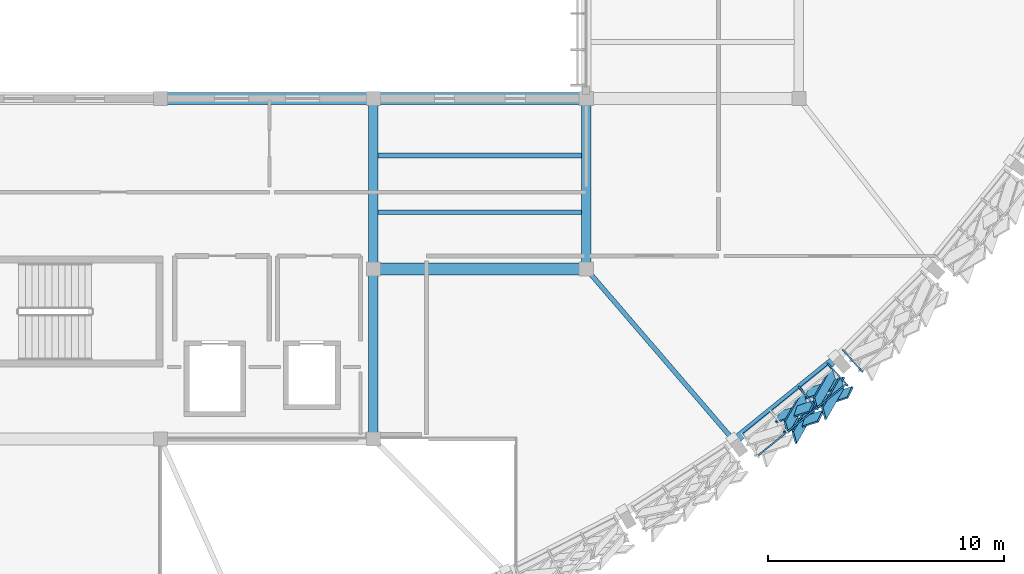
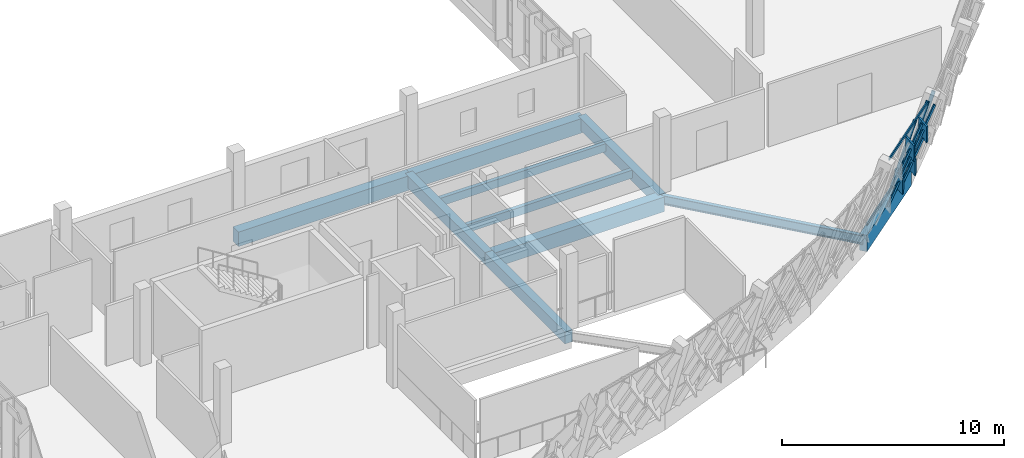
# One storey, part 49 of 107: 13 members, 10 beams, 2 elements without a shape of their own.
"""IFC4 building model written with IfcOpenShell, lengths in metres."""

import ifcopenshell
import ifcopenshell.guid

model = None  # the IFC model being written
_history = None  # IfcOwnerHistory: only IFC2X3 demands one
_inside = {}  # id of a spatial element -> (the spatial element, [elements in it])
_under = {}  # id of a project, library or spatial element -> (it, [spatial elements below it])
_declared = {}  # id of a project -> (the project, [libraries it declares])
_typed = {}  # id of a type object -> (the type object, [elements of that type])
_made_of = {}  # id of a material, layer set ... -> (it, [elements and type objects made of it])


def new_model(schema):
    """Start an empty IFC model of exactly this schema.

    Asked for "IFC4X3", IfcOpenShell would pick the latest addendum, in which some entities
    have other attributes; the version numbers below select the first issue.
    IFC2X3 requires an IfcOwnerHistory on every rooted entity: one is made here for all.
    """
    global model, _history
    if schema == "IFC4X3":
        model = ifcopenshell.file(schema_version=(4, 3, 0, 0))
    else:
        model = ifcopenshell.file(schema=schema)
    _inside.clear()
    _under.clear()
    _declared.clear()
    _typed.clear()
    _made_of.clear()
    _history = None
    if model.schema == "IFC2X3":
        org = make("IfcOrganization", Name="unknown")
        user = make(
            "IfcPersonAndOrganization",
            ThePerson=make("IfcPerson", FamilyName="unknown"),
            TheOrganization=org,
        )
        app = make(
            "IfcApplication",
            ApplicationDeveloper=org,
            Version="unknown",
            ApplicationFullName="unknown",
            ApplicationIdentifier="unknown",
        )
        _history = make(
            "IfcOwnerHistory",
            OwningUser=user,
            OwningApplication=app,
            ChangeAction="ADDED",
            CreationDate=0,
        )
    return model


def make(cls, **values):
    """One entity of the class cls with the attributes given. An attribute that is None is left unset."""
    return model.create_entity(
        cls, **{name: value for name, value in values.items() if value is not None}
    )


def rooted(cls, **values):
    """An entity with a GlobalId (a new one), such as an element, a storey or a relation."""
    return make(cls, GlobalId=ifcopenshell.guid.new(), OwnerHistory=_history, **values)


def si_unit(unit_type, name, prefix=None):
    """IfcSIUnit, for example si_unit("LENGTHUNIT", "METRE", prefix="MILLI")."""
    return make("IfcSIUnit", UnitType=unit_type, Prefix=prefix, Name=name)


def assignment(units):
    """IfcUnitAssignment: the units of a project."""
    return None if units is None else make("IfcUnitAssignment", Units=units)


def point(xyz):
    """IfcCartesianPoint."""
    return None if xyz is None else make("IfcCartesianPoint", Coordinates=xyz)


def direction(xyz):
    """IfcDirection."""
    return None if xyz is None else make("IfcDirection", DirectionRatios=xyz)


def frame(location, z_axis=None, x_axis=None):
    """IfcAxis2Placement3D, a coordinate frame: its origin and axes. An axis left out is left unset."""
    return make(
        "IfcAxis2Placement3D",
        Location=point(location),
        Axis=direction(z_axis),
        RefDirection=direction(x_axis),
    )


def frame_2d(location, x_axis=None):
    """IfcAxis2Placement2D, a coordinate frame in the plane: its origin and x axis."""
    return make(
        "IfcAxis2Placement2D", Location=point(location), RefDirection=direction(x_axis)
    )


def origin():
    """The frame at (0, 0, 0) with its axes left unset."""
    return frame((0.0, 0.0, 0.0))


def origin_2d():
    """The frame at (0, 0) in the plane with its x axis left unset."""
    return frame_2d((0.0, 0.0))


def place(relative_to, where):
    """IfcLocalPlacement: puts the frame where relative to a parent placement (None: the world)."""
    return make(
        "IfcLocalPlacement", PlacementRelTo=relative_to, RelativePlacement=where
    )


def context(
    kind, dimensions, precision=None, world=None, true_north=None, identifier=None
):
    """IfcGeometricRepresentationContext, for example the 3D "Model" context."""
    return make(
        "IfcGeometricRepresentationContext",
        ContextIdentifier=identifier,
        ContextType=kind,
        CoordinateSpaceDimension=dimensions,
        Precision=precision,
        WorldCoordinateSystem=world,
        TrueNorth=true_north,
    )


def subcontext(parent, identifier, kind, view, scale=None):
    """IfcGeometricRepresentationSubContext, for example "Body" below "Model"."""
    return make(
        "IfcGeometricRepresentationSubContext",
        ContextIdentifier=identifier,
        ContextType=kind,
        ParentContext=parent,
        TargetScale=scale,
        TargetView=view,
    )


def project(units=None, contexts=None):
    """IfcProject with its units and contexts."""
    return rooted(
        "IfcProject",
        Name="project",
        RepresentationContexts=contexts,
        UnitsInContext=assignment(units),
    )


def spatial(cls, under=None, at=None, **own):
    """A site, building, storey or space (cls), placed at a placement, below another one or the project."""
    s = rooted(cls, ObjectPlacement=at, **own)
    if under is not None:
        _under.setdefault(under.id(), (under, []))[1].append(s)
    return s


def profile(cls, at=None, kind="AREA", **sizes):
    """A parametric profile (cls). Its sizes go by their IFC names, for example OverallWidth=200.0."""
    return make(cls, ProfileType=kind, Position=at, **sizes)


def rectangle(**sizes):
    """IfcRectangleProfileDef."""
    return profile("IfcRectangleProfileDef", **sizes)


def hollow_rectangle(**sizes):
    """IfcRectangleHollowProfileDef."""
    return profile("IfcRectangleHollowProfileDef", **sizes)


def i_section(**sizes):
    """IfcIShapeProfileDef."""
    return profile("IfcIShapeProfileDef", **sizes)


def extrude(swept, where, along, depth):
    """IfcExtrudedAreaSolid: the profile swept, set in the frame where, extruded along a direction by depth."""
    return make(
        "IfcExtrudedAreaSolid",
        SweptArea=swept,
        Position=where,
        ExtrudedDirection=direction(along),
        Depth=depth,
    )


def shape(context_of_items, identifier, shape_type, items):
    """IfcShapeRepresentation: the items that make up one representation, for example the "Body"."""
    return make(
        "IfcShapeRepresentation",
        ContextOfItems=context_of_items,
        RepresentationIdentifier=identifier,
        RepresentationType=shape_type,
        Items=items,
    )


def material(Name=None, Category=None):
    """IfcMaterial."""
    return make("IfcMaterial", Name=Name, Category=Category)


def material_profile(
    of_material, cross_section, Name=None, Category=None, Priority=None
):
    """IfcMaterialProfile: a cross section and its material."""
    return make(
        "IfcMaterialProfile",
        Name=Name,
        Material=of_material,
        Profile=cross_section,
        Priority=Priority,
        Category=Category,
    )


def profile_set(profiles, Name=None, composite=None):
    """IfcMaterialProfileSet."""
    return make(
        "IfcMaterialProfileSet",
        Name=Name,
        MaterialProfiles=profiles,
        CompositeProfile=composite,
    )


def made_of(thing, what):
    """Note that an element or type object is made of a material, layer set ...; save() writes the relation."""
    if what is not None:
        _made_of.setdefault(what.id(), (what, []))[1].append(thing)
    return thing


def type_object(cls, material=None, **own):
    """A type object (cls), such as IfcWallType, which elements share."""
    return made_of(rooted(cls, **own), material)


def element(
    cls,
    number,
    at=None,
    inside=None,
    cuts=None,
    type_object=None,
    material=None,
    context=None,
    identifier="Body",
    shape_type=None,
    held_by="IfcProductDefinitionShape",
    body=None,
    shapes=None,
    **own,
):
    """One element of the class cls, such as IfcWall. Its Tag is "e" and its number.

    at: its placement. inside: the storey or other place that contains it. cuts: it is an
    opening in that element (IfcRelVoidsElement). A single representation is given by context,
    identifier, shape_type and body (its items); several are given by shapes. held_by: the class
    of the entity that holds the representations. save() writes the other relations.
    """
    e = rooted(cls, Tag="e%d" % number, ObjectPlacement=at, **own)
    if body is not None:
        shapes = [shape(context, identifier, shape_type, body)]
    if shapes is not None:
        e.Representation = make(held_by, Representations=shapes)
    if inside is not None:
        _inside.setdefault(inside.id(), (inside, []))[1].append(e)
    if cuts is not None:
        rooted(
            "IfcRelVoidsElement", RelatingBuildingElement=cuts, RelatedOpeningElement=e
        )
    if type_object is not None:
        _typed.setdefault(type_object.id(), (type_object, []))[1].append(e)
    return made_of(e, material)


def aggregate(whole, parts):
    """IfcRelAggregates: a whole, such as a stair, and the parts it consists of."""
    return rooted("IfcRelAggregates", RelatingObject=whole, RelatedObjects=parts)


def save(model, path):
    """Write the relations noted so far, then the file.

    IfcRelAggregates (storeys below a building ...), IfcRelContainedInSpatialStructure (elements
    in a storey), IfcRelDefinesByType, IfcRelAssociatesMaterial and IfcRelDeclares: one each for
    every whole, place, type object, material and project.
    """
    for whole, parts in _under.values():
        aggregate(whole, parts)
    for where, things in _inside.values():
        rooted(
            "IfcRelContainedInSpatialStructure",
            RelatedElements=things,
            RelatingStructure=where,
        )
    for kind, things in _typed.values():
        rooted("IfcRelDefinesByType", RelatedObjects=things, RelatingType=kind)
    for what, things in _made_of.values():
        rooted("IfcRelAssociatesMaterial", RelatedObjects=things, RelatingMaterial=what)
    for by, libraries in _declared.values():
        rooted("IfcRelDeclares", RelatingContext=by, RelatedDefinitions=libraries)
    model.write(path)


model = new_model("IFC4")

# Units and contexts
model_context = context("Model", 3, precision=1e-05, world=origin(), true_north=direction((0.0, 1.0)))
body_context = subcontext(model_context, "Body", "Model", "MODEL_VIEW")
ifc_project = project(units=[si_unit("LENGTHUNIT", "METRE"), si_unit("AREAUNIT", "SQUARE_METRE"), si_unit("VOLUMEUNIT", "CUBIC_METRE"), si_unit("PLANEANGLEUNIT", "RADIAN"), si_unit("MASSUNIT", "GRAM", prefix="KILO")], contexts=[model_context])

# Site, building, storey
site_placement = place(None, origin())
site = spatial("IfcSite", under=ifc_project, at=site_placement, CompositionType="ELEMENT")
building_placement = place(site_placement, origin())
building = spatial("IfcBuilding", under=site, at=building_placement, Name="Chiffa Square Polytechnic", CompositionType="ELEMENT")
storey_placement = place(building_placement, frame((0.0, 0.0, 13.800048828125)))
storey = spatial("IfcBuildingStorey", under=building, at=storey_placement, Name="L03", CompositionType="ELEMENT", Elevation=13.800048828125)

# Beams
ifc_material_1 = material(Name="Concrete C35/45", Category="concrete")
ifc_material_profile_1 = material_profile(ifc_material_1, rectangle(XDim=0.39990234375, YDim=0.64990234375, at=origin_2d()), Name="RC 400x650")
ifc_profile_set_1 = profile_set([ifc_material_profile_1], Name="Concrete C35/45")
beam_type_1 = type_object("IfcBeamType", Name="BM-RC-400X650", PredefinedType="BEAM", material=ifc_profile_set_1)
beam_1_placement = place(storey_placement, frame((139.199951171875, 14.39990234375, -0.5849609375), z_axis=(0.0, 1.0, 0.0), x_axis=(-1.0, 0.0, 0.0)))
element("IfcBeam", 1, at=beam_1_placement, inside=storey, type_object=beam_type_1, Name="Primary floor girder BM-V1-L03-Y-1392-0144", PredefinedType="BEAM", context=body_context, shape_type="SweptSolid", body=[
    extrude(rectangle(XDim=0.39990234375, YDim=0.64990234375, at=origin_2d()), origin(), (0.0, 0.0, 1.0), 7.2001953125),
])
for number, where, z_axis, x_axis, name in (
    (2, (139.199951171875, 21.60009765625, -0.5849609375), (0.0, 1.0, 0.0), (-1.0, 0.0, 0.0), "Primary floor girder BM-V1-L03-Y-1392-0216"),
    (3, (148.199951171875, 21.60009765625, -0.5849609375), (0.0, 1.0, 0.0), (-1.0, 0.0, 0.0), "Primary floor girder BM-V1-L03-Y-1482-0216"),
):
    element("IfcBeam", number, at=place(storey_placement, frame(where, z_axis=z_axis, x_axis=x_axis)), inside=storey, type_object=beam_type_1, Name=name, PredefinedType="BEAM", context=body_context, shape_type="SweptSolid", body=[
        extrude(rectangle(XDim=0.39990234375, YDim=0.64990234375, at=origin_2d()), origin(), (0.0, 0.0, 1.0), 7.199951171875),
    ])
ifc_material_2 = material(Name="Concrete C40/50", Category="concrete")
ifc_material_profile_2 = material_profile(ifc_material_2, rectangle(XDim=0.5, YDim=0.800048828125, at=origin_2d()), Name="RC 500x800")
ifc_profile_set_2 = profile_set([ifc_material_profile_2], Name="Concrete C40/50")
beam_type_2 = type_object("IfcBeamType", Name="BM-RC-500X800", PredefinedType="BEAM", material=ifc_profile_set_2)
for number, where, z_axis, x_axis, name in (
    (4, (139.199951171875, 21.60009765625, -0.66015625), (1.0, 0.0, 0.0), (0.0, 1.0, 0.0), "Primary floor girder BM-V1-L03-X-1392-0216"),
    (5, (130.199951171875, 28.800048828125, -0.66015625), (1.0, 0.0, 0.0), (0.0, 1.0, 0.0), "Primary floor girder BM-V1-L03-X-1302-0288"),
    (6, (139.199951171875, 28.800048828125, -0.66015625), (1.0, 0.0, 0.0), (0.0, 1.0, 0.0), "Primary floor girder BM-V1-L03-X-1392-0288"),
):
    element("IfcBeam", number, at=place(storey_placement, frame(where, z_axis=z_axis, x_axis=x_axis)), inside=storey, type_object=beam_type_2, Name=name, PredefinedType="BEAM", context=body_context, shape_type="SweptSolid", body=[
        extrude(rectangle(XDim=0.5, YDim=0.800048828125, at=origin_2d()), origin(), (0.0, 0.0, 1.0), 9.0),
    ])
ifc_material_3 = material(Name="Steel S355", Category="steel")
ifc_material_profile_3 = material_profile(ifc_material_3, i_section(OverallWidth=0.199951171875, OverallDepth=0.5, WebThickness=0.01025390625, FlangeThickness=0.01611328125, FilletRadius=0.02099609375, at=origin_2d()), Name="IPE 500")
ifc_profile_set_3 = profile_set([ifc_material_profile_3], Name="Steel S355")
beam_type_3 = type_object("IfcBeamType", Name="BM-STL-IPE500", PredefinedType="BEAM", material=ifc_profile_set_3)
beam_2_placement = place(storey_placement, frame((154.462890625, 14.320068359375, -0.510009765625), z_axis=(-0.652165817383, 0.75807634618, 0.0), x_axis=(-0.75807634618, -0.652165817383, 0.0)))
element("IfcBeam", 7, at=beam_2_placement, inside=storey, type_object=beam_type_3, Name="Prow radial tie girder BM-V1-RAD-L03-09", PredefinedType="BEAM", context=body_context, shape_type="SweptSolid", body=[
    extrude(i_section(OverallWidth=0.199951171875, OverallDepth=0.5, WebThickness=0.01025390625, FlangeThickness=0.01611328125, FilletRadius=0.02099609375, at=origin_2d()), origin(), (0.0, 0.0, 1.0), 9.603271484375),
])

# Curtain wall, members
ifc_material_4 = material(Name="Aluminium EN AW-6060 T66 and glulam shading", Category="wood")
curtain_wall_type_1 = type_object("IfcCurtainWallType", Name="CW-PROW-LEAN-150", PredefinedType="USERDEFINED", material=ifc_material_4)
curtain_wall_1_placement = place(storey_placement, origin())
curtain_wall_1 = element("IfcCurtainWall", 8, at=curtain_wall_1_placement, inside=storey, type_object=curtain_wall_type_1, Name="Outward-leaning diamond-fin prow curtain wall CW-V1-L03-052", ObjectType="CURTAIN WALL", PredefinedType="USERDEFINED")
ifc_material_5 = material(Name="Aluminium EN AW-6060 T66", Category="aluminium")
ifc_material_profile_4 = material_profile(ifc_material_5, hollow_rectangle(XDim=0.06494140625, YDim=0.179931640625, WallThickness=0.00390625, at=origin_2d()), Name="ALU 65x180x4")
ifc_profile_set_4 = profile_set([ifc_material_profile_4], Name="Aluminium EN AW-6060 T66")
member_type_1 = type_object("IfcMemberType", Name="CWM-ALU-75X180", PredefinedType="MULLION", material=ifc_profile_set_4)
member_1_placement = place(storey_placement, frame((157.236328125, 16.56494140625, 0.0), z_axis=(0.174901071751, -0.20824381338, 0.962311866959), x_axis=(0.765747840541, 0.643140921343, 0.0)))
member_1 = element("IfcMember", 9, at=member_1_placement, type_object=member_type_1, Name="Leaning prow mullion CW-V1-L03-052-M02", PredefinedType="MULLION", context=body_context, shape_type="SweptSolid", body=[
    extrude(hollow_rectangle(XDim=0.06494140625, YDim=0.179931640625, WallThickness=0.00390625, at=origin_2d()), origin(), (0.0, 0.0, 1.0), 4.114990234375),
])
member_2_placement = place(storey_placement, frame((158.4560546875, 17.552001953125, 0.0), z_axis=(0.182244733359, -0.202177751071, 0.962242700224), x_axis=(0.742773731376, 0.669542518424, 0.0)))
member_2 = element("IfcMember", 10, at=member_2_placement, type_object=member_type_1, Name="Leaning prow mullion CW-V1-L03-052-M03", PredefinedType="MULLION", context=body_context, shape_type="SweptSolid", body=[
    extrude(hollow_rectangle(XDim=0.06494140625, YDim=0.179931640625, WallThickness=0.00390625, at=origin_2d()), origin(), (0.0, 0.0, 1.0), 4.115234375),
])

# Curtain wall, member
curtain_wall_type_2 = type_object("IfcCurtainWallType", Name="CW-PROW-LEAN-300", PredefinedType="USERDEFINED", material=ifc_material_4)
curtain_wall_2_placement = place(storey_placement, origin())
curtain_wall_2 = element("IfcCurtainWall", 11, at=curtain_wall_2_placement, inside=storey, type_object=curtain_wall_type_2, Name="Outward-leaning diamond-fin prow curtain wall CW-V1-L03-053", ObjectType="CURTAIN WALL", PredefinedType="USERDEFINED")
member_3_placement = place(storey_placement, frame((159.093994140625, 18.126953125, 0.0), z_axis=(0.182244733359, -0.202177751071, 0.962242700224), x_axis=(0.742773731376, 0.669542518424, 0.0)))
member_3 = element("IfcMember", 12, at=member_3_placement, type_object=member_type_1, Name="Leaning prow mullion CW-V1-L03-053-M00", PredefinedType="MULLION", context=body_context, shape_type="SweptSolid", body=[
    extrude(hollow_rectangle(XDim=0.06494140625, YDim=0.179931640625, WallThickness=0.00390625, at=origin_2d()), origin(), (0.0, 0.0, 1.0), 4.115234375),
])
aggregate(curtain_wall_2, [member_3])

# Member
ifc_material_6 = material(Name="Glulam GL28h", Category="wood")
ifc_material_profile_5 = material_profile(ifc_material_6, rectangle(XDim=0.080078125, YDim=0.580078125, at=origin_2d()), Name="GL28h 80x580")
ifc_profile_set_5 = profile_set([ifc_material_profile_5], Name="Glulam GL28h")
member_type_2 = type_object("IfcMemberType", Name="CWM-GL-80X580", PredefinedType="MULLION", material=ifc_profile_set_5)
member_4_placement = place(storey_placement, frame((156.326904296875, 15.33203125, 0.0400390625), z_axis=(0.584801512278, 0.186389336907, 0.789472106109), x_axis=(-0.709365914071, 0.589573390794, 0.386268322312)))
member_4 = element("IfcMember", 13, at=member_4_placement, type_object=member_type_2, Name="Diamond glulam fin CW-V1-L03-052-DF03A", PredefinedType="MULLION", context=body_context, shape_type="SweptSolid", body=[
    extrude(rectangle(XDim=0.080078125, YDim=0.580078125, at=origin_2d()), origin(), (0.0, 0.0, 1.0), 2.457275390625),
])

member_5_placement = place(storey_placement, frame((157.412109375, 16.2099609375, 0.0400390625), z_axis=(-0.304035479429, -0.533155026999, 0.789498666518), x_axis=(0.921216262474, 0.046626068612, 0.386246821966)))
member_5 = element("IfcMember", 14, at=member_5_placement, type_object=member_type_2, Name="Diamond glulam fin CW-V1-L03-052-DF03B", PredefinedType="MULLION", context=body_context, shape_type="SweptSolid", body=[
    extrude(rectangle(XDim=0.080078125, YDim=0.580078125, at=origin_2d()), origin(), (0.0, 0.0, 1.0), 2.457275390625),
])

member_6_placement = place(storey_placement, frame((156.6650390625, 14.89990234375, 1.97998046875), z_axis=(0.588017069387, 0.190069121705, 0.786199500816), x_axis=(-0.709813581858, 0.587298254902, 0.388902865506)))
member_6 = element("IfcMember", 15, at=member_6_placement, type_object=member_type_2, Name="Diamond glulam fin CW-V1-L03-052-DF04A", PredefinedType="MULLION", context=body_context, shape_type="SweptSolid", body=[
    extrude(rectangle(XDim=0.080078125, YDim=0.580078125, at=origin_2d()), origin(), (0.0, 0.0, 1.0), 2.467529296875),
])

member_7_placement = place(storey_placement, frame((157.763916015625, 15.7900390625, 1.97998046875), z_axis=(-0.308068963284, -0.53548382921, 0.786352708723), x_axis=(0.920399694126, 0.04140509817, 0.388780170402)))
member_7 = element("IfcMember", 16, at=member_7_placement, type_object=member_type_2, Name="Diamond glulam fin CW-V1-L03-052-DF04B", PredefinedType="MULLION", context=body_context, shape_type="SweptSolid", body=[
    extrude(rectangle(XDim=0.080078125, YDim=0.580078125, at=origin_2d()), origin(), (0.0, 0.0, 1.0), 2.467041015625),
])

member_8_placement = place(storey_placement, frame((157.547119140625, 16.319091796875, 0.0400390625), z_axis=(0.588231633899, 0.190406237642, 0.785957384053), x_axis=(-0.709910571806, 0.587052628646, 0.389096634833)))
member_8 = element("IfcMember", 17, at=member_8_placement, type_object=member_type_2, Name="Diamond glulam fin CW-V1-L03-052-DF05A", PredefinedType="MULLION", context=body_context, shape_type="SweptSolid", body=[
    extrude(rectangle(XDim=0.080078125, YDim=0.580078125, at=origin_2d()), origin(), (0.0, 0.0, 1.0), 2.46826171875),
])

member_9_placement = place(storey_placement, frame((158.632080078125, 17.197998046875, 0.0400390625), z_axis=(-0.299296916746, -0.53063077904, 0.793002100856), x_axis=(0.922069898521, 0.052879465065, 0.383393876342)))
member_9 = element("IfcMember", 18, at=member_9_placement, type_object=member_type_2, Name="Diamond glulam fin CW-V1-L03-052-DF05B", PredefinedType="MULLION", context=body_context, shape_type="SweptSolid", body=[
    extrude(rectangle(XDim=0.080078125, YDim=0.580078125, at=origin_2d()), origin(), (0.0, 0.0, 1.0), 2.4462890625),
])

member_10_placement = place(storey_placement, frame((157.89990234375, 15.89990234375, 1.97998046875), z_axis=(0.59144973266, 0.194129462627, 0.782624408945), x_axis=(-0.710317676389, 0.584792331582, 0.391748296145)))
member_10 = element("IfcMember", 19, at=member_10_placement, type_object=member_type_2, Name="Diamond glulam fin CW-V1-L03-052-DF06A", PredefinedType="MULLION", context=body_context, shape_type="SweptSolid", body=[
    extrude(rectangle(XDim=0.080078125, YDim=0.580078125, at=origin_2d()), origin(), (0.0, 0.0, 1.0), 2.478759765625),
])

member_11_placement = place(storey_placement, frame((158.9990234375, 16.7890625, 1.97998046875), z_axis=(-0.303803429649, -0.532650123056, 0.789928681934), x_axis=(0.921354025112, 0.046788219141, 0.385898461981)))
member_11 = element("IfcMember", 20, at=member_11_placement, type_object=member_type_2, Name="Diamond glulam fin CW-V1-L03-052-DF06B", PredefinedType="MULLION", context=body_context, shape_type="SweptSolid", body=[
    extrude(rectangle(XDim=0.080078125, YDim=0.580078125, at=origin_2d()), origin(), (0.0, 0.0, 1.0), 2.455810546875),
])

ifc_material_profile_6 = material_profile(ifc_material_5, hollow_rectangle(XDim=0.06494140625, YDim=0.139892578125, WallThickness=0.00390625, at=origin_2d()), Name="ALU 65x140x4")
ifc_profile_set_6 = profile_set([ifc_material_profile_6], Name="Aluminium EN AW-6060 T66")
member_type_3 = type_object("IfcMemberType", Name="CWT-ALU-75X140", PredefinedType="USERDEFINED", material=ifc_profile_set_6)
member_12_placement = place(storey_placement, frame((154.8037109375, 14.581787109375, 0.0400390625), z_axis=(0.777335428655, 0.629086346504, 0.0), x_axis=(-0.629086346504, 0.777335428655, 0.0)))
member_12 = element("IfcMember", 21, at=member_12_placement, type_object=member_type_3, Name="Leaning prow transom CW-V1-L03-052-T01", ObjectType="TRANSOM", PredefinedType="USERDEFINED", context=body_context, shape_type="SweptSolid", body=[
    extrude(hollow_rectangle(XDim=0.06494140625, YDim=0.139892578125, WallThickness=0.00390625, at=origin_2d()), origin(), (0.0, 0.0, 1.0), 4.708251953125),
])

member_13_placement = place(storey_placement, frame((155.44921875, 13.693115234375, 3.919921875), z_axis=(0.777216583828, 0.629233169677, 0.0), x_axis=(-0.629233169677, 0.777216583828, 0.0)))
member_13 = element("IfcMember", 22, at=member_13_placement, type_object=member_type_3, Name="Leaning prow transom CW-V1-L03-052-T03", ObjectType="TRANSOM", PredefinedType="USERDEFINED", context=body_context, shape_type="SweptSolid", body=[
    extrude(hollow_rectangle(XDim=0.06494140625, YDim=0.139892578125, WallThickness=0.00390625, at=origin_2d()), origin(), (0.0, 0.0, 1.0), 4.823974609375),
])

aggregate(curtain_wall_1, [member_1, member_2, member_12, member_13, member_4, member_5, member_6, member_7, member_8, member_9, member_10, member_11])

# Beams
ifc_material_profile_7 = material_profile(ifc_material_6, rectangle(XDim=0.199951171875, YDim=0.43994140625, at=origin_2d()), Name="GL28h 200x440")
ifc_profile_set_7 = profile_set([ifc_material_profile_7], Name="Glulam GL28h")
beam_type_4 = type_object("IfcBeamType", Name="JST-GL-200X440", PredefinedType="JOIST", material=ifc_profile_set_7)
for number, where, z_axis, x_axis, name in (
    (23, (139.39794921875, 24.0, -0.47998046875), (1.0, 0.0, 0.0), (0.0, 1.0, 0.0), "Secondary floor joist JST-V1-L03-1392-0240"),
    (24, (139.39794921875, 26.39990234375, -0.47998046875), (1.0, 0.0, 0.0), (0.0, 1.0, 0.0), "Secondary floor joist JST-V1-L03-1392-0264"),
):
    element("IfcBeam", number, at=place(storey_placement, frame(where, z_axis=z_axis, x_axis=x_axis)), inside=storey, type_object=beam_type_4, Name=name, PredefinedType="JOIST", context=body_context, shape_type="SweptSolid", body=[
        extrude(rectangle(XDim=0.199951171875, YDim=0.43994140625, at=origin_2d()), origin(), (0.0, 0.0, 1.0), 8.60400390625),
    ])
ifc_material_7 = material(Name="Glulam GL32c", Category="wood")
ifc_material_profile_8 = material_profile(ifc_material_7, rectangle(XDim=0.360107421875, YDim=0.89990234375, at=origin_2d()), Name="GL32c 360x900")
ifc_profile_set_8 = profile_set([ifc_material_profile_8], Name="Glulam GL32c")
beam_type_5 = type_object("IfcBeamType", Name="RB-GL-360X900", PredefinedType="SPANDREL", material=ifc_profile_set_8)
beam_3_placement = place(storey_placement, frame((154.462890625, 14.320068359375, -0.7099609375), z_axis=(0.777244870707, 0.629198228668, 0.0), x_axis=(-0.629198228668, 0.777244870707, 0.0)))
element("IfcBeam", 25, at=beam_3_placement, inside=storey, type_object=beam_type_5, Name="Prow perimeter edge beam RB-V1-PROW-L03-09", PredefinedType="SPANDREL", context=body_context, shape_type="SweptSolid", body=[
    extrude(rectangle(XDim=0.360107421875, YDim=0.89990234375, at=origin_2d()), origin(), (0.0, 0.0, 1.0), 5.5673828125),
])

save(model, "model.ifc")
